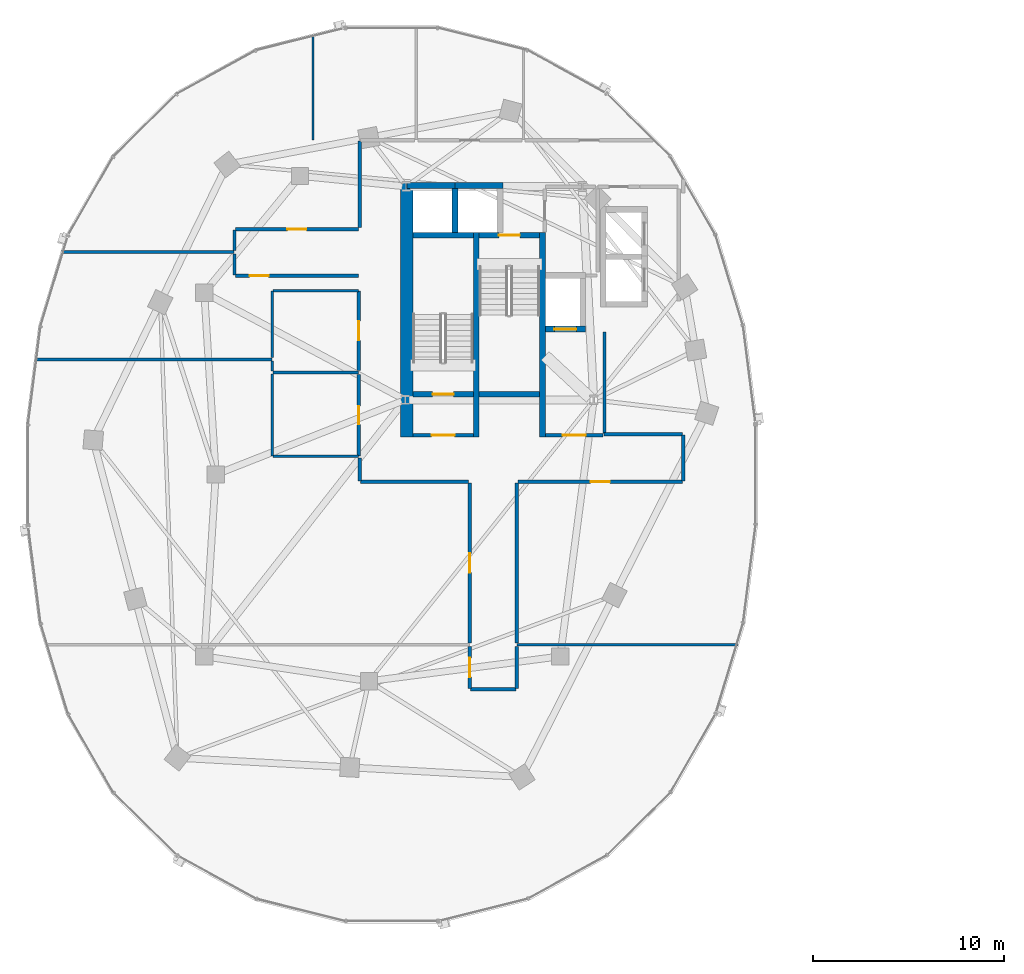
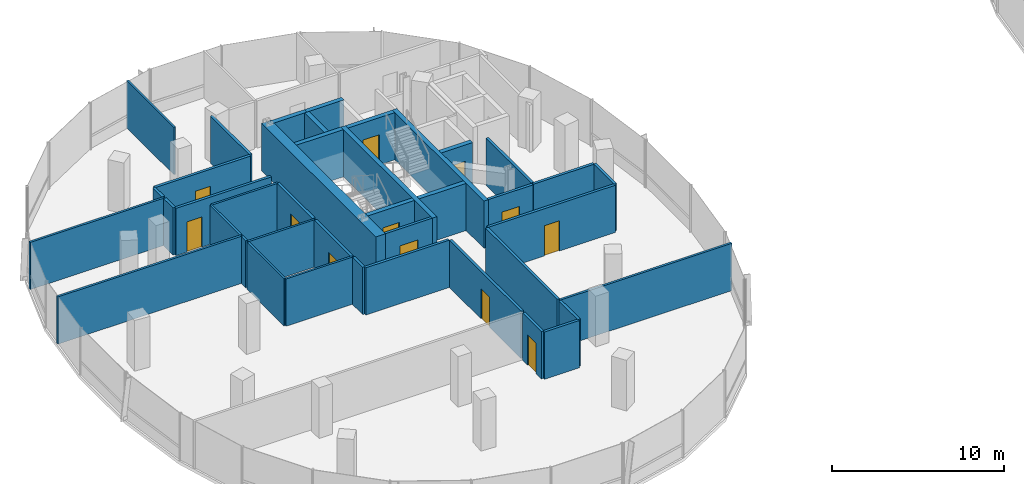
# One storey, part 12 of 22: 41 walls, 12 doors, 12 openings.
"""IFC4 building model written with IfcOpenShell, lengths in metres."""

from ifc_helpers import new_model, si_unit, direction, frame, frame_2d, origin, place, context, subcontext, project, spatial, rectangle, extrude, material, layer, layer_set, type_object, element, fill, save


model = new_model("IFC4")

# Units and contexts
model_context = context("Model", 3, precision=1e-05, world=origin(), true_north=direction((0.0, 1.0)))
body_context = subcontext(model_context, "Body", "Model", "MODEL_VIEW")
ifc_project = project(units=[si_unit("LENGTHUNIT", "METRE"), si_unit("AREAUNIT", "SQUARE_METRE"), si_unit("VOLUMEUNIT", "CUBIC_METRE"), si_unit("PLANEANGLEUNIT", "RADIAN"), si_unit("MASSUNIT", "GRAM", prefix="KILO"), si_unit("THERMODYNAMICTEMPERATUREUNIT", "KELVIN"), si_unit("POWERUNIT", "WATT")], contexts=[model_context])

# Site, building, storey
site_placement = place(None, origin())
site = spatial("IfcSite", under=ifc_project, at=site_placement, CompositionType="ELEMENT")
building_placement = place(site_placement, origin())
building = spatial("IfcBuilding", under=site, at=building_placement, Name="Cundina Bronze Exchange", CompositionType="ELEMENT")
storey_placement = place(building_placement, frame((0.0, 0.0, 162.0)))
storey = spatial("IfcBuildingStorey", under=building, at=storey_placement, Name="L42", CompositionType="ELEMENT", Elevation=162.0)

# Wall
ifc_material_1 = material(Name="Gypsum Fireboard Partition EI120")
ifc_layer_1 = layer(ifc_material_1, 0.179931640625, Name="Gypsum Fireboard Partition EI120")
ifc_layer_set_1 = layer_set([ifc_layer_1], Name="Gypsum Fireboard Partition EI120")
wall_type_1 = type_object("IfcWallType", Name="WL-COR-180", PredefinedType="PARTITIONING", material=ifc_layer_set_1)
wall_1_placement = place(storey_placement, frame((-20.889892578125, 2.14990234375, 0.0), z_axis=(0.0, 0.0, 1.0), x_axis=(0.0, 1.0, 0.0)))
element("IfcWall", 1, at=wall_1_placement, inside=storey, type_object=wall_type_1, Name="L42 W Firefighting Lobby Side Wall", PredefinedType="PARTITIONING", context=body_context, shape_type="SweptSolid", body=[
    extrude(rectangle(XDim=5.300048828125, YDim=0.179931640625, at=frame_2d((2.64990234375, 0.0))), origin(), (0.0, 0.0, 1.0), 3.360107421875),
])

# Wall, opening, door
wall_2_placement = place(storey_placement, frame((-23.97998046875, 2.06005859375, 0.0), z_axis=(0.0, 0.0, 1.0), x_axis=(1.0, 0.0, 0.0)))
wall_2 = element("IfcWall", 2, at=wall_2_placement, inside=storey, type_object=wall_type_1, Name="L42 W Firefighting Lobby Exit Wall", PredefinedType="PARTITIONING", context=body_context, shape_type="SweptSolid", body=[
    extrude(rectangle(XDim=3.0, YDim=0.179931640625, at=frame_2d((1.5, 0.0))), origin(), (0.0, 0.0, 1.0), 3.360107421875),
])
opening_1_placement = place(wall_2_placement, frame((0.89990234375, 0.0, 0.0)))
opening_1 = element("IfcOpeningElement", 3, at=opening_1_placement, cuts=wall_2, Name="Opening DF-01", PredefinedType="OPENING", context=body_context, shape_type="SweptSolid", body=[
    extrude(rectangle(XDim=1.199951171875, YDim=2.14990234375, at=frame_2d((0.60009765625, 1.074951171875))), frame((0.0, 0.099853515625, 0.0), z_axis=(0.0, -1.0, 0.0), x_axis=(1.0, 0.0, 0.0)), (0.0, 0.0, 1.0), 0.199951171875),
])
ifc_material_2 = material(Name="Steel ASTM A36 Painted", Category="steel")
door_type_1 = type_object("IfcDoorType", Name="DR-FFL-1200", OperationType="NOTDEFINED", PredefinedType="DOOR", material=ifc_material_2)
door_1_placement = place(opening_1_placement, origin())
door_1 = element("IfcDoor", 4, at=door_1_placement, inside=storey, type_object=door_type_1, Name="L42 W Firefighting Lobby Door", OperationType="SINGLE_SWING_RIGHT", OverallHeight=2.14990234375, OverallWidth=1.199951171875, PredefinedType="DOOR", context=body_context, shape_type="SweptSolid", body=[
    extrude(rectangle(XDim=1.199951171875, YDim=2.14990234375, at=frame_2d((0.60009765625, 1.074951171875))), frame((0.0, 0.02490234375, 0.0), z_axis=(0.0, -1.0, 0.0), x_axis=(1.0, 0.0, 0.0)), (0.0, 0.0, 1.0), 0.050048828125),
])
fill(opening_1, door_1)

wall_3_placement = place(storey_placement, frame((-30.89990234375, 2.06005859375, 0.0), z_axis=(0.0, 0.0, 1.0), x_axis=(1.0, 0.0, 0.0)))
wall_3 = element("IfcWall", 5, at=wall_3_placement, inside=storey, type_object=wall_type_1, Name="L42 W Stair Vestibule Exit Wall", PredefinedType="PARTITIONING", context=body_context, shape_type="SweptSolid", body=[
    extrude(rectangle(XDim=3.159912109375, YDim=0.179931640625, at=frame_2d((1.580078125, 0.0))), origin(), (0.0, 0.0, 1.0), 3.360107421875),
])
opening_2_placement = place(wall_3_placement, frame((0.97998046875, 0.0, 0.0)))
opening_2 = element("IfcOpeningElement", 6, at=opening_2_placement, cuts=wall_3, Name="Opening DF-01", PredefinedType="OPENING", context=body_context, shape_type="SweptSolid", body=[
    extrude(rectangle(XDim=1.199951171875, YDim=2.14990234375, at=frame_2d((0.60009765625, 1.074951171875))), frame((0.0, 0.099853515625, 0.0), z_axis=(0.0, -1.0, 0.0), x_axis=(1.0, 0.0, 0.0)), (0.0, 0.0, 1.0), 0.199951171875),
])
door_2_placement = place(opening_2_placement, origin())
door_2 = element("IfcDoor", 7, at=door_2_placement, inside=storey, type_object=door_type_1, Name="L42 W Stair Vestibule Door", OperationType="SINGLE_SWING_LEFT", OverallHeight=2.14990234375, OverallWidth=1.199951171875, PredefinedType="DOOR", context=body_context, shape_type="SweptSolid", body=[
    extrude(rectangle(XDim=1.199951171875, YDim=2.14990234375, at=frame_2d((0.60009765625, 1.074951171875))), frame((0.0, 0.02490234375, 0.0), z_axis=(0.0, -1.0, 0.0), x_axis=(1.0, 0.0, 0.0)), (0.0, 0.0, 1.0), 0.050048828125),
])
fill(opening_2, door_2)

wall_4_placement = place(storey_placement, frame((-33.719970703125, 0.969970703125, 0.0), z_axis=(0.0, 0.0, 1.0), x_axis=(0.0, 1.0, 0.0)))
wall_4 = element("IfcWall", 8, at=wall_4_placement, inside=storey, type_object=wall_type_1, Name="L42 Interior Partition 014", PredefinedType="PARTITIONING", context=body_context, shape_type="SweptSolid", body=[
    extrude(rectangle(XDim=4.260009765625, YDim=0.179931640625, at=frame_2d((2.1298828125, 0.0))), origin(), (0.0, 0.0, 1.0), 3.360107421875),
])
opening_3_placement = place(wall_4_placement, frame((1.655029296875, 0.0, 0.0)))
opening_3 = element("IfcOpeningElement", 9, at=opening_3_placement, cuts=wall_4, Name="Opening DW-01", PredefinedType="OPENING", context=body_context, shape_type="SweptSolid", body=[
    extrude(rectangle(XDim=0.949951171875, YDim=2.10009765625, at=frame_2d((0.47509765625, 1.050048828125))), frame((0.0, 0.099853515625, 0.0), z_axis=(0.0, -1.0, 0.0), x_axis=(1.0, 0.0, 0.0)), (0.0, 0.0, 1.0), 0.199951171875),
])
ifc_material_3 = material(Name="Solid Andean Oak Timber Grade A", Category="wood")
door_type_2 = type_object("IfcDoorType", Name="DR-WC-950", OperationType="NOTDEFINED", PredefinedType="DOOR", material=ifc_material_3)
door_3_placement = place(opening_3_placement, origin())
door_3 = element("IfcDoor", 10, at=door_3_placement, inside=storey, type_object=door_type_2, Name="L42 Interior Door 014", OperationType="SINGLE_SWING_LEFT", OverallHeight=2.10009765625, OverallWidth=0.949951171875, PredefinedType="DOOR", context=body_context, shape_type="SweptSolid", body=[
    extrude(rectangle(XDim=0.949951171875, YDim=2.10009765625, at=frame_2d((0.47509765625, 1.050048828125))), frame((0.0, 0.02490234375, 0.0), z_axis=(0.0, -1.0, 0.0), x_axis=(1.0, 0.0, 0.0)), (0.0, 0.0, 1.0), 0.050048828125),
])
fill(opening_3, door_3)

wall_5_placement = place(storey_placement, frame((-33.719970703125, 5.429931640625, 0.0), z_axis=(0.0, 0.0, 1.0), x_axis=(0.0, 1.0, 0.0)))
wall_5 = element("IfcWall", 11, at=wall_5_placement, inside=storey, type_object=wall_type_1, Name="L42 Interior Partition 015", PredefinedType="PARTITIONING", context=body_context, shape_type="SweptSolid", body=[
    extrude(rectangle(XDim=4.16015625, YDim=0.179931640625, at=frame_2d((2.080078125, 0.0))), origin(), (0.0, 0.0, 1.0), 3.360107421875),
])
opening_4_placement = place(wall_5_placement, frame((1.580078125, 0.0, 0.0)))
opening_4 = element("IfcOpeningElement", 12, at=opening_4_placement, cuts=wall_5, Name="Opening DO-01", PredefinedType="OPENING", context=body_context, shape_type="SweptSolid", body=[
    extrude(rectangle(XDim=1.0, YDim=2.14990234375, at=frame_2d((0.5, 1.074951171875))), frame((0.0, 0.099853515625, 0.0), z_axis=(0.0, -1.0, 0.0), x_axis=(1.0, 0.0, 0.0)), (0.0, 0.0, 1.0), 0.199951171875),
])
door_type_3 = type_object("IfcDoorType", Name="DR-OFF-1000", OperationType="NOTDEFINED", PredefinedType="DOOR", material=ifc_material_3)
door_4_placement = place(opening_4_placement, origin())
door_4 = element("IfcDoor", 13, at=door_4_placement, inside=storey, type_object=door_type_3, Name="L42 Interior Door 015", OperationType="SINGLE_SWING_LEFT", OverallHeight=2.14990234375, OverallWidth=1.0, PredefinedType="DOOR", context=body_context, shape_type="SweptSolid", body=[
    extrude(rectangle(XDim=1.0, YDim=2.14990234375, at=frame_2d((0.5, 1.074951171875))), frame((0.0, 0.02490234375, 0.0), z_axis=(0.0, -1.0, 0.0), x_axis=(1.0, 0.0, 0.0)), (0.0, 0.0, 1.0), 0.050048828125),
])
fill(opening_4, door_4)

# Wall
wall_6_placement = place(storey_placement, frame((-27.87841796875, -11.219970703125, 0.0), z_axis=(0.0, 0.0, 1.0), x_axis=(1.0, 0.0, 0.0)))
element("IfcWall", 14, at=wall_6_placement, inside=storey, type_object=wall_type_1, Name="L42 Interior Partition 023", PredefinedType="PARTITIONING", context=body_context, shape_type="SweptSolid", body=[
    extrude(rectangle(XDim=2.35693359375, YDim=0.179931640625, at=frame_2d((1.178466796875, 0.0))), origin(), (0.0, 0.0, 1.0), 3.360107421875),
])

# Wall, opening, door
wall_7_placement = place(storey_placement, frame((-27.919921875, -8.97998046875, 0.0), z_axis=(0.0, 0.0, 1.0), x_axis=(0.0, -1.0, 0.0)))
wall_7 = element("IfcWall", 15, at=wall_7_placement, inside=storey, type_object=wall_type_1, Name="L42 Interior Partition 024", PredefinedType="PARTITIONING", context=body_context, shape_type="SweptSolid", body=[
    extrude(rectangle(XDim=2.198486328125, YDim=0.179931640625, at=frame_2d((1.09912109375, 0.0))), origin(), (0.0, 0.0, 1.0), 3.360107421875),
])
opening_5_placement = place(wall_7_placement, frame((0.59912109375, 0.0, 0.0)))
opening_5 = element("IfcOpeningElement", 16, at=opening_5_placement, cuts=wall_7, Name="Opening DO-01", PredefinedType="OPENING", context=body_context, shape_type="SweptSolid", body=[
    extrude(rectangle(XDim=1.0, YDim=2.14990234375, at=frame_2d((0.5, 1.074951171875))), frame((0.0, 0.099853515625, 0.0), z_axis=(0.0, -1.0, 0.0), x_axis=(1.0, 0.0, 0.0)), (0.0, 0.0, 1.0), 0.199951171875),
])
door_5_placement = place(opening_5_placement, origin())
door_5 = element("IfcDoor", 17, at=door_5_placement, inside=storey, type_object=door_type_3, Name="L42 Interior Door 024", OperationType="SINGLE_SWING_RIGHT", OverallHeight=2.14990234375, OverallWidth=1.0, PredefinedType="DOOR", context=body_context, shape_type="SweptSolid", body=[
    extrude(rectangle(XDim=1.0, YDim=2.14990234375, at=frame_2d((0.5, 1.074951171875))), frame((0.0, 0.02490234375, 0.0), z_axis=(0.0, -1.0, 0.0), x_axis=(1.0, 0.0, 0.0)), (0.0, 0.0, 1.0), 0.050048828125),
])
fill(opening_5, door_5)

# Wall
wall_8_placement = place(storey_placement, frame((-25.47998046875, -11.178466796875, 0.0), z_axis=(0.0, 0.0, 1.0), x_axis=(0.0, 1.0, 0.0)))
element("IfcWall", 18, at=wall_8_placement, inside=storey, type_object=wall_type_1, Name="L42 Interior Partition 025", PredefinedType="PARTITIONING", context=body_context, shape_type="SweptSolid", body=[
    extrude(rectangle(XDim=2.198486328125, YDim=0.179931640625, at=frame_2d((1.09912109375, 0.0))), origin(), (0.0, 0.0, 1.0), 3.360107421875),
])

# Wall, opening, door
wall_9_placement = place(storey_placement, frame((-27.919921875, -0.449951171875, 0.0), z_axis=(0.0, 0.0, 1.0), x_axis=(0.0, -1.0, 0.0)))
wall_9 = element("IfcWall", 19, at=wall_9_placement, inside=storey, type_object=wall_type_1, Name="L42 Interior Partition 026", PredefinedType="PARTITIONING", context=body_context, shape_type="SweptSolid", body=[
    extrude(rectangle(XDim=8.35009765625, YDim=0.179931640625, at=frame_2d((4.175048828125, 0.0))), origin(), (0.0, 0.0, 1.0), 3.360107421875),
])
opening_6_placement = place(wall_9_placement, frame((3.675048828125, 0.0, 0.0)))
opening_6 = element("IfcOpeningElement", 20, at=opening_6_placement, cuts=wall_9, Name="Opening DO-01", PredefinedType="OPENING", context=body_context, shape_type="SweptSolid", body=[
    extrude(rectangle(XDim=1.0, YDim=2.14990234375, at=frame_2d((0.5, 1.074951171875))), frame((0.0, 0.099853515625, 0.0), z_axis=(0.0, -1.0, 0.0), x_axis=(1.0, 0.0, 0.0)), (0.0, 0.0, 1.0), 0.199951171875),
])
door_6_placement = place(opening_6_placement, origin())
door_6 = element("IfcDoor", 21, at=door_6_placement, inside=storey, type_object=door_type_3, Name="L42 Interior Door 026", OperationType="SINGLE_SWING_RIGHT", OverallHeight=2.14990234375, OverallWidth=1.0, PredefinedType="DOOR", context=body_context, shape_type="SweptSolid", body=[
    extrude(rectangle(XDim=1.0, YDim=2.14990234375, at=frame_2d((0.5, 1.074951171875))), frame((0.0, 0.02490234375, 0.0), z_axis=(0.0, -1.0, 0.0), x_axis=(1.0, 0.0, 0.0)), (0.0, 0.0, 1.0), 0.050048828125),
])
fill(opening_6, door_6)

# Walls
wall_10_placement = place(storey_placement, frame((-33.62841796875, -0.3701171875, 0.0), z_axis=(0.0, 0.0, 1.0), x_axis=(1.0, 0.0, 0.0)))
element("IfcWall", 22, at=wall_10_placement, inside=storey, type_object=wall_type_1, Name="L42 Interior Partition 027", PredefinedType="PARTITIONING", context=body_context, shape_type="SweptSolid", body=[
    extrude(rectangle(XDim=5.62841796875, YDim=0.179931640625, at=frame_2d((2.814208984375, 0.0))), origin(), (0.0, 0.0, 1.0), 3.360107421875),
])
wall_11_placement = place(storey_placement, frame((-33.669921875, 0.858642578125, 0.0), z_axis=(0.0, 0.0, 1.0), x_axis=(0.0, -1.0, 0.0)))
element("IfcWall", 23, at=wall_11_placement, inside=storey, type_object=wall_type_1, Name="L42 Interior Partition 028", PredefinedType="PARTITIONING", context=body_context, shape_type="SweptSolid", body=[
    extrude(rectangle(XDim=1.187255859375, YDim=0.179931640625, at=frame_2d((0.59375, 0.0))), origin(), (0.0, 0.0, 1.0), 3.360107421875),
])

# Wall, opening, door
wall_12_placement = place(storey_placement, frame((-25.39990234375, -0.3701171875, 0.0), z_axis=(0.0, 0.0, 1.0), x_axis=(1.0, 0.0, 0.0)))
wall_12 = element("IfcWall", 24, at=wall_12_placement, inside=storey, type_object=wall_type_1, Name="L42 Interior Partition 029", PredefinedType="PARTITIONING", context=body_context, shape_type="SweptSolid", body=[
    extrude(rectangle(XDim=8.578369140625, YDim=0.179931640625, at=frame_2d((4.2890625, 0.0))), origin(), (0.0, 0.0, 1.0), 3.360107421875),
])
opening_7_placement = place(wall_12_placement, frame((3.789306640625, 0.0, 0.0)))
opening_7 = element("IfcOpeningElement", 25, at=opening_7_placement, cuts=wall_12, Name="Opening DO-01", PredefinedType="OPENING", context=body_context, shape_type="SweptSolid", body=[
    extrude(rectangle(XDim=1.0, YDim=2.14990234375, at=frame_2d((0.5, 1.074951171875))), frame((0.0, 0.099853515625, 0.0), z_axis=(0.0, -1.0, 0.0), x_axis=(1.0, 0.0, 0.0)), (0.0, 0.0, 1.0), 0.199951171875),
])
door_7_placement = place(opening_7_placement, origin())
door_7 = element("IfcDoor", 26, at=door_7_placement, inside=storey, type_object=door_type_3, Name="L42 Interior Door 029", OperationType="SINGLE_SWING_RIGHT", OverallHeight=2.14990234375, OverallWidth=1.0, PredefinedType="DOOR", context=body_context, shape_type="SweptSolid", body=[
    extrude(rectangle(XDim=1.0, YDim=2.14990234375, at=frame_2d((0.5, 1.074951171875))), frame((0.0, 0.02490234375, 0.0), z_axis=(0.0, -1.0, 0.0), x_axis=(1.0, 0.0, 0.0)), (0.0, 0.0, 1.0), 0.050048828125),
])
fill(opening_7, door_7)

# Walls
wall_13_placement = place(storey_placement, frame((-25.47998046875, -8.800048828125, 0.0), z_axis=(0.0, 0.0, 1.0), x_axis=(0.0, 1.0, 0.0)))
element("IfcWall", 27, at=wall_13_placement, inside=storey, type_object=wall_type_1, Name="L42 Interior Partition 030", PredefinedType="PARTITIONING", context=body_context, shape_type="SweptSolid", body=[
    extrude(rectangle(XDim=8.35009765625, YDim=0.179931640625, at=frame_2d((4.175048828125, 0.0))), origin(), (0.0, 0.0, 1.0), 3.360107421875),
])
wall_14_placement = place(storey_placement, frame((-16.821533203125, 2.10009765625, 0.0), z_axis=(0.0, 0.0, 1.0), x_axis=(-1.0, 0.0, 0.0)))
element("IfcWall", 28, at=wall_14_placement, inside=storey, type_object=wall_type_1, Name="L42 Interior Partition 031", PredefinedType="PARTITIONING", context=body_context, shape_type="SweptSolid", body=[
    extrude(rectangle(XDim=4.098388671875, YDim=0.179931640625, at=frame_2d((2.04931640625, 0.0))), origin(), (0.0, 0.0, 1.0), 3.360107421875),
])
wall_15_placement = place(storey_placement, frame((-16.780029296875, -0.32861328125, 0.0), z_axis=(0.0, 0.0, 1.0), x_axis=(0.0, 1.0, 0.0)))
element("IfcWall", 29, at=wall_15_placement, inside=storey, type_object=wall_type_1, Name="L42 Interior Partition 032", PredefinedType="PARTITIONING", context=body_context, shape_type="SweptSolid", body=[
    extrude(rectangle(XDim=2.38720703125, YDim=0.179931640625, at=frame_2d((1.193603515625, 0.0))), origin(), (0.0, 0.0, 1.0), 3.360107421875),
])

# Wall, opening, door
wall_16_placement = place(storey_placement, frame((-40.178466796875, 10.3798828125, 0.0), z_axis=(0.0, 0.0, 1.0), x_axis=(1.0, 0.0, 0.0)))
wall_16 = element("IfcWall", 30, at=wall_16_placement, inside=storey, type_object=wall_type_1, Name="L42 Interior Partition 034", PredefinedType="PARTITIONING", context=body_context, shape_type="SweptSolid", body=[
    extrude(rectangle(XDim=6.428466796875, YDim=0.179931640625, at=frame_2d((3.21435546875, 0.0))), origin(), (0.0, 0.0, 1.0), 3.360107421875),
])
opening_8_placement = place(wall_16_placement, frame((0.74267578125, 0.0, 0.0)))
opening_8 = element("IfcOpeningElement", 31, at=opening_8_placement, cuts=wall_16, Name="Opening DO-01", PredefinedType="OPENING", context=body_context, shape_type="SweptSolid", body=[
    extrude(rectangle(XDim=1.0, YDim=2.14990234375, at=frame_2d((0.5, 1.074951171875))), frame((0.0, 0.099853515625, 0.0), z_axis=(0.0, -1.0, 0.0), x_axis=(1.0, 0.0, 0.0)), (0.0, 0.0, 1.0), 0.199951171875),
])
door_8_placement = place(opening_8_placement, origin())
door_8 = element("IfcDoor", 32, at=door_8_placement, inside=storey, type_object=door_type_3, Name="L42 Interior Door 034", OperationType="SINGLE_SWING_LEFT", OverallHeight=2.14990234375, OverallWidth=1.0, PredefinedType="DOOR", context=body_context, shape_type="SweptSolid", body=[
    extrude(rectangle(XDim=1.0, YDim=2.14990234375, at=frame_2d((0.5, 1.074951171875))), frame((0.0, 0.02490234375, 0.0), z_axis=(0.0, -1.0, 0.0), x_axis=(1.0, 0.0, 0.0)), (0.0, 0.0, 1.0), 0.050048828125),
])
fill(opening_8, door_8)

# Wall
wall_17_placement = place(storey_placement, frame((-40.219970703125, 11.530029296875, 0.0), z_axis=(0.0, 0.0, 1.0), x_axis=(0.0, -1.0, 0.0)))
element("IfcWall", 33, at=wall_17_placement, inside=storey, type_object=wall_type_1, Name="L42 Interior Partition 035", PredefinedType="PARTITIONING", context=body_context, shape_type="SweptSolid", body=[
    extrude(rectangle(XDim=1.108642578125, YDim=0.179931640625, at=frame_2d((0.55419921875, 0.0))), origin(), (0.0, 0.0, 1.0), 3.360107421875),
])

# Wall, opening, door
wall_18_placement = place(storey_placement, frame((-33.75, 12.820068359375, 0.0), z_axis=(0.0, 0.0, 1.0), x_axis=(-1.0, 0.0, 0.0)))
wall_18 = element("IfcWall", 34, at=wall_18_placement, inside=storey, type_object=wall_type_1, Name="L42 Interior Partition 036", PredefinedType="PARTITIONING", context=body_context, shape_type="SweptSolid", body=[
    extrude(rectangle(XDim=6.428466796875, YDim=0.179931640625, at=frame_2d((3.21435546875, 0.0))), origin(), (0.0, 0.0, 1.0), 3.360107421875),
])
opening_9_placement = place(wall_18_placement, frame((2.714111328125, 0.0, 0.0)))
opening_9 = element("IfcOpeningElement", 35, at=opening_9_placement, cuts=wall_18, Name="Opening DO-01", PredefinedType="OPENING", context=body_context, shape_type="SweptSolid", body=[
    extrude(rectangle(XDim=1.0, YDim=2.14990234375, at=frame_2d((0.5, 1.074951171875))), frame((0.0, 0.099853515625, 0.0), z_axis=(0.0, -1.0, 0.0), x_axis=(1.0, 0.0, 0.0)), (0.0, 0.0, 1.0), 0.199951171875),
])
door_9_placement = place(opening_9_placement, origin())
door_9 = element("IfcDoor", 36, at=door_9_placement, inside=storey, type_object=door_type_3, Name="L42 Interior Door 036", OperationType="SINGLE_SWING_RIGHT", OverallHeight=2.14990234375, OverallWidth=1.0, PredefinedType="DOOR", context=body_context, shape_type="SweptSolid", body=[
    extrude(rectangle(XDim=1.0, YDim=2.14990234375, at=frame_2d((0.5, 1.074951171875))), frame((0.0, 0.02490234375, 0.0), z_axis=(0.0, -1.0, 0.0), x_axis=(1.0, 0.0, 0.0)), (0.0, 0.0, 1.0), 0.050048828125),
])
fill(opening_9, door_9)

# Walls
wall_19_placement = place(storey_placement, frame((-33.669921875, 17.428466796875, 0.0), z_axis=(0.0, 0.0, 1.0), x_axis=(0.0, -1.0, 0.0)))
element("IfcWall", 37, at=wall_19_placement, inside=storey, type_object=wall_type_1, Name="L42 Interior Partition 037", PredefinedType="PARTITIONING", context=body_context, shape_type="SweptSolid", body=[
    extrude(rectangle(XDim=4.528564453125, YDim=0.179931640625, at=frame_2d((2.26416015625, 0.0))), origin(), (0.0, 0.0, 1.0), 3.360107421875),
])
wall_20_placement = place(storey_placement, frame((-40.219970703125, 12.778564453125, 0.0), z_axis=(0.0, 0.0, 1.0), x_axis=(0.0, -1.0, 0.0)))
element("IfcWall", 38, at=wall_20_placement, inside=storey, type_object=wall_type_1, Name="L42 Interior Partition 039", PredefinedType="PARTITIONING", context=body_context, shape_type="SweptSolid", body=[
    extrude(rectangle(XDim=1.068603515625, YDim=0.179931640625, at=frame_2d((0.5341796875, 0.0))), origin(), (0.0, 0.0, 1.0), 3.360107421875),
])
ifc_material_4 = material(Name="Concrete C50/60", Category="concrete")
ifc_layer_2 = layer(ifc_material_4, 0.64990234375, Name="Concrete C50/60", Category="concrete")
ifc_layer_set_2 = layer_set([ifc_layer_2], Name="Concrete C50/60")
wall_type_2 = type_object("IfcWallType", Name="WL-CORE-650", PredefinedType="SHEAR", material=ifc_layer_set_2)
wall_21_placement = place(storey_placement, frame((-31.22509765625, 1.969970703125, 0.0), z_axis=(0.0, 0.0, 1.0), x_axis=(0.0, 1.0, 0.0)))
element("IfcWall", 39, at=wall_21_placement, inside=storey, type_object=wall_type_2, Name="L42 W Primary Core Shear Spine Wall", PredefinedType="SHEAR", context=body_context, shape_type="SweptSolid", body=[
    extrude(rectangle(XDim=13.330078125, YDim=0.64990234375, at=frame_2d((6.6650390625, 0.0))), origin(), (0.0, 0.0, 1.0), 3.360107421875),
])
ifc_material_5 = material(Name="Gypsum Acoustic Partition EI60")
ifc_layer_3 = layer(ifc_material_5, 0.125, Name="Gypsum Acoustic Partition EI60")
ifc_layer_set_3 = layer_set([ifc_layer_3], Name="Gypsum Acoustic Partition EI60")
wall_type_3 = type_object("IfcWallType", Name="WL-OFF-125", PredefinedType="PARTITIONING", material=ifc_layer_set_3)
wall_22_placement = place(storey_placement, frame((-36.1201171875, 17.469970703125, 0.0), z_axis=(0.0, 0.0, 1.0), x_axis=(0.0, 1.0, 0.0)))
element("IfcWall", 40, at=wall_22_placement, inside=storey, type_object=wall_type_3, Name="L42 Interior Partition 020", PredefinedType="PARTITIONING", context=body_context, shape_type="SweptSolid", body=[
    extrude(rectangle(XDim=5.511474609375, YDim=0.125, at=frame_2d((2.755859375, 0.0))), origin(), (0.0, 0.0, 1.0), 3.360107421875),
])
ifc_layer_4 = layer(ifc_material_4, 0.300048828125, Name="Concrete C50/60", Category="concrete")
ifc_layer_set_4 = layer_set([ifc_layer_4], Name="Concrete C50/60")
wall_type_4 = type_object("IfcWallType", Name="WL-SHFT-300", PredefinedType="SHEAR", material=ifc_layer_set_4)
for number, where, z_axis, x_axis, name in (
    (41, (-27.590087890625, 1.969970703125, 0.0), (0.0, 0.0, 1.0), (0.0, 1.0, 0.0), "L42 W Stair Shaft Dividing Shear Wall"),
    (42, (-24.1298828125, 1.969970703125, 0.0), (0.0, 0.0, 1.0), (0.0, 1.0, 0.0), "L42 W Stair 2 East Shear Wall"),
):
    element("IfcWall", number, at=place(storey_placement, frame(where, z_axis=z_axis, x_axis=x_axis)), inside=storey, type_object=wall_type_4, Name=name, PredefinedType="SHEAR", context=body_context, shape_type="SweptSolid", body=[
        extrude(rectangle(XDim=10.679931640625, YDim=0.300048828125, at=frame_2d((5.33984375, 0.0))), origin(), (0.0, 0.0, 1.0), 3.360107421875),
    ])

# Wall, opening, door
wall_23_placement = place(storey_placement, frame((-30.89990234375, 4.199951171875, 0.0), z_axis=(0.0, 0.0, 1.0), x_axis=(1.0, 0.0, 0.0)))
wall_23 = element("IfcWall", 43, at=wall_23_placement, inside=storey, type_object=wall_type_4, Name="L42 Stair W1 Landing Wall", PredefinedType="SHEAR", context=body_context, shape_type="SweptSolid", body=[
    extrude(rectangle(XDim=3.159912109375, YDim=0.300048828125, at=frame_2d((1.580078125, 0.0))), origin(), (0.0, 0.0, 1.0), 3.360107421875),
])
opening_10_placement = place(wall_23_placement, frame((1.030029296875, 0.0, 0.0)))
opening_10 = element("IfcOpeningElement", 44, at=opening_10_placement, cuts=wall_23, Name="Opening DS-01", PredefinedType="OPENING", context=body_context, shape_type="SweptSolid", body=[
    extrude(rectangle(XDim=1.10009765625, YDim=2.14990234375, at=frame_2d((0.550048828125, 1.074951171875))), frame((0.0, 0.159912109375, 0.0), z_axis=(0.0, -1.0, 0.0), x_axis=(1.0, 0.0, 0.0)), (0.0, 0.0, 1.0), 0.320068359375),
])
door_type_4 = type_object("IfcDoorType", Name="DR-STR-1100", OperationType="NOTDEFINED", PredefinedType="DOOR", material=ifc_material_2)
door_10_placement = place(opening_10_placement, origin())
door_10 = element("IfcDoor", 45, at=door_10_placement, inside=storey, type_object=door_type_4, Name="L42 Smokeproof Stair W1 Door", OperationType="SINGLE_SWING_RIGHT", OverallHeight=2.14990234375, OverallWidth=1.10009765625, PredefinedType="DOOR", context=body_context, shape_type="SweptSolid", body=[
    extrude(rectangle(XDim=1.10009765625, YDim=2.14990234375, at=frame_2d((0.550048828125, 1.074951171875))), frame((0.0, 0.02490234375, 0.0), z_axis=(0.0, -1.0, 0.0), x_axis=(1.0, 0.0, 0.0)), (0.0, 0.0, 1.0), 0.050048828125),
])
fill(opening_10, door_10)

# Wall
wall_24_placement = place(storey_placement, frame((-30.89990234375, 12.5, 0.0), z_axis=(0.0, 0.0, 1.0), x_axis=(1.0, 0.0, 0.0)))
element("IfcWall", 46, at=wall_24_placement, inside=storey, type_object=wall_type_4, Name="L42 Stair W1 Far Shaft Wall", PredefinedType="SHEAR", context=body_context, shape_type="SweptSolid", body=[
    extrude(rectangle(XDim=3.159912109375, YDim=0.300048828125, at=frame_2d((1.580078125, 0.0))), origin(), (0.0, 0.0, 1.0), 3.360107421875),
])

# Wall, opening, door
wall_25_placement = place(storey_placement, frame((-27.43994140625, 12.5, 0.0), z_axis=(0.0, 0.0, 1.0), x_axis=(1.0, 0.0, 0.0)))
wall_25 = element("IfcWall", 47, at=wall_25_placement, inside=storey, type_object=wall_type_4, Name="L42 Stair W2 Landing Wall", PredefinedType="SHEAR", context=body_context, shape_type="SweptSolid", body=[
    extrude(rectangle(XDim=3.159912109375, YDim=0.300048828125, at=frame_2d((1.580078125, 0.0))), origin(), (0.0, 0.0, 1.0), 3.360107421875),
])
opening_11_placement = place(wall_25_placement, frame((1.030029296875, 0.0, 0.0)))
opening_11 = element("IfcOpeningElement", 48, at=opening_11_placement, cuts=wall_25, Name="Opening DS-01", PredefinedType="OPENING", context=body_context, shape_type="SweptSolid", body=[
    extrude(rectangle(XDim=1.10009765625, YDim=2.14990234375, at=frame_2d((0.550048828125, 1.074951171875))), frame((0.0, 0.159912109375, 0.0), z_axis=(0.0, -1.0, 0.0), x_axis=(1.0, 0.0, 0.0)), (0.0, 0.0, 1.0), 0.320068359375),
])
door_11_placement = place(opening_11_placement, origin())
door_11 = element("IfcDoor", 49, at=door_11_placement, inside=storey, type_object=door_type_4, Name="L42 Smokeproof Stair W2 Door", OperationType="SINGLE_SWING_LEFT", OverallHeight=2.14990234375, OverallWidth=1.10009765625, PredefinedType="DOOR", context=body_context, shape_type="SweptSolid", body=[
    extrude(rectangle(XDim=1.10009765625, YDim=2.14990234375, at=frame_2d((0.550048828125, 1.074951171875))), frame((0.0, 0.02490234375, 0.0), z_axis=(0.0, -1.0, 0.0), x_axis=(1.0, 0.0, 0.0)), (0.0, 0.0, 1.0), 0.050048828125),
])
fill(opening_11, door_11)

# Wall
wall_26_placement = place(storey_placement, frame((-27.43994140625, 4.199951171875, 0.0), z_axis=(0.0, 0.0, 1.0), x_axis=(1.0, 0.0, 0.0)))
element("IfcWall", 50, at=wall_26_placement, inside=storey, type_object=wall_type_4, Name="L42 Stair W2 Far Shaft Wall", PredefinedType="SHEAR", context=body_context, shape_type="SweptSolid", body=[
    extrude(rectangle(XDim=3.159912109375, YDim=0.300048828125, at=frame_2d((1.580078125, 0.0))), origin(), (0.0, 0.0, 1.0), 3.360107421875),
])

# Wall, opening, door
wall_27_placement = place(storey_placement, frame((-23.97998046875, 7.60009765625, 0.0), z_axis=(0.0, 0.0, 1.0), x_axis=(1.0, 0.0, 0.0)))
wall_27 = element("IfcWall", 51, at=wall_27_placement, inside=storey, type_object=wall_type_4, Name="L42 FFL-W Hoistway Front Wall", PredefinedType="SHEAR", context=body_context, shape_type="SweptSolid", body=[
    extrude(rectangle(XDim=2.10009765625, YDim=0.300048828125, at=frame_2d((1.050048828125, 0.0))), origin(), (0.0, 0.0, 1.0), 3.360107421875),
])
opening_12_placement = place(wall_27_placement, frame((0.47509765625, 0.0, 0.0)))
opening_12 = element("IfcOpeningElement", 52, at=opening_12_placement, cuts=wall_27, Name="Opening LD-01", PredefinedType="OPENING", context=body_context, shape_type="SweptSolid", body=[
    extrude(rectangle(XDim=1.14990234375, YDim=2.199951171875, at=frame_2d((0.574951171875, 1.10009765625))), frame((0.0, 0.159912109375, 0.0), z_axis=(0.0, -1.0, 0.0), x_axis=(1.0, 0.0, 0.0)), (0.0, 0.0, 1.0), 0.320068359375),
])
door_type_5 = type_object("IfcDoorType", Name="DR-LND-1150", OperationType="NOTDEFINED", PredefinedType="TRAPDOOR", material=ifc_material_2)
door_12_placement = place(opening_12_placement, origin())
door_12 = element("IfcDoor", 53, at=door_12_placement, inside=storey, type_object=door_type_5, Name="L42 FFL-W Sliding Landing Door", OperationType="SLIDING_TO_LEFT", OverallHeight=2.199951171875, OverallWidth=1.14990234375, PredefinedType="TRAPDOOR", context=body_context, shape_type="SweptSolid", body=[
    extrude(rectangle(XDim=1.14990234375, YDim=2.199951171875, at=frame_2d((0.574951171875, 1.10009765625))), frame((0.0, 0.02490234375, 0.0), z_axis=(0.0, -1.0, 0.0), x_axis=(1.0, 0.0, 0.0)), (0.0, 0.0, 1.0), 0.050048828125),
])
fill(opening_12, door_12)

# Walls
wall_28_placement = place(storey_placement, frame((-31.199951171875, 15.10009765625, 0.0), z_axis=(0.0, 0.0, 1.0), x_axis=(1.0, 0.0, 0.0)))
element("IfcWall", 54, at=wall_28_placement, inside=storey, type_object=wall_type_4, Name="L42 PH-W1 Hoistway Front Wall", PredefinedType="SHEAR", context=body_context, shape_type="SweptSolid", body=[
    extrude(rectangle(XDim=2.5, YDim=0.300048828125, at=frame_2d((1.25, 0.0))), origin(), (0.0, 0.0, 1.0), 3.360107421875),
])
wall_29_placement = place(storey_placement, frame((-28.699951171875, 12.64990234375, 0.0), z_axis=(0.0, 0.0, 1.0), x_axis=(0.0, 1.0, 0.0)))
element("IfcWall", 55, at=wall_29_placement, inside=storey, type_object=wall_type_4, Name="L42 PH-W1 Hoistway Divider Wall", PredefinedType="SHEAR", context=body_context, shape_type="SweptSolid", body=[
    extrude(rectangle(XDim=2.300048828125, YDim=0.300048828125, at=frame_2d((1.14990234375, 0.0))), origin(), (0.0, 0.0, 1.0), 3.360107421875),
])
wall_30_placement = place(storey_placement, frame((-28.699951171875, 15.10009765625, 0.0), z_axis=(0.0, 0.0, 1.0), x_axis=(1.0, 0.0, 0.0)))
element("IfcWall", 56, at=wall_30_placement, inside=storey, type_object=wall_type_4, Name="L42 PH-W2 Hoistway Front Wall", PredefinedType="SHEAR", context=body_context, shape_type="SweptSolid", body=[
    extrude(rectangle(XDim=2.5, YDim=0.300048828125, at=frame_2d((1.25, 0.0))), origin(), (0.0, 0.0, 1.0), 3.360107421875),
])
ifc_layer_5 = layer(ifc_material_5, 0.14990234375, Name="Gypsum Acoustic Partition EI60")
ifc_layer_set_5 = layer_set([ifc_layer_5], Name="Gypsum Acoustic Partition EI60")
wall_type_5 = type_object("IfcWallType", Name="WL-TEN-150", PredefinedType="PARTITIONING", material=ifc_layer_set_5)
wall_31_placement = place(storey_placement, frame((-25.449951171875, -8.889892578125, 0.0), z_axis=(0.0, 0.0, 1.0), x_axis=(1.0, 0.0, 0.0)))
element("IfcWall", 57, at=wall_31_placement, inside=storey, type_object=wall_type_5, Name="L42 Interior Partition 017", PredefinedType="PARTITIONING", context=body_context, shape_type="SweptSolid", body=[
    extrude(rectangle(XDim=11.53173828125, YDim=0.14990234375, at=frame_2d((5.765869140625, 0.0))), origin(), (0.0, 0.0, 1.0), 3.360107421875),
])
wall_32_placement = place(storey_placement, frame((-50.64111328125, 6.02001953125, 0.0), z_axis=(0.0, 0.0, 1.0), x_axis=(1.0, 0.0, 0.0)))
element("IfcWall", 58, at=wall_32_placement, inside=storey, type_object=wall_type_5, Name="L42 Interior Partition 018", PredefinedType="PARTITIONING", context=body_context, shape_type="SweptSolid", body=[
    extrude(rectangle(XDim=12.37109375, YDim=0.14990234375, at=frame_2d((6.185546875, 0.0))), origin(), (0.0, 0.0, 1.0), 3.360107421875),
])
wall_33_placement = place(storey_placement, frame((-49.25439453125, 11.6201171875, 0.0), z_axis=(0.0, 0.0, 1.0), x_axis=(1.0, 0.0, 0.0)))
element("IfcWall", 59, at=wall_33_placement, inside=storey, type_object=wall_type_5, Name="L42 Interior Partition 019", PredefinedType="PARTITIONING", context=body_context, shape_type="SweptSolid", body=[
    extrude(rectangle(XDim=9.00439453125, YDim=0.14990234375, at=frame_2d((4.502197265625, 0.0))), origin(), (0.0, 0.0, 1.0), 3.360107421875),
])
ifc_material_6 = material(Name="Moisture-Resistant Masonry Block Grade M15", Category="masonry")
ifc_layer_6 = layer(ifc_material_6, 0.139892578125, Name="Moisture-Resistant Masonry Block Grade M15", Category="masonry")
ifc_layer_set_6 = layer_set([ifc_layer_6], Name="Moisture-Resistant Masonry Block Grade M15")
wall_type_6 = type_object("IfcWallType", Name="WL-WET-140", PredefinedType="PARTITIONING", material=ifc_layer_set_6)
wall_34_placement = place(storey_placement, frame((-38.239990234375, 0.969970703125, 0.0), z_axis=(0.0, 0.0, 1.0), x_axis=(0.0, 1.0, 0.0)))
element("IfcWall", 60, at=wall_34_placement, inside=storey, type_object=wall_type_6, Name="L42 Interior Partition 008", PredefinedType="PARTITIONING", context=body_context, shape_type="SweptSolid", body=[
    extrude(rectangle(XDim=4.275146484375, YDim=0.139892578125, at=frame_2d((2.1376953125, 0.0))), origin(), (0.0, 0.0, 1.0), 3.360107421875),
])
wall_35_placement = place(storey_placement, frame((-38.239990234375, 5.4150390625, 0.0), z_axis=(0.0, 0.0, 1.0), x_axis=(0.0, 1.0, 0.0)))
element("IfcWall", 61, at=wall_35_placement, inside=storey, type_object=wall_type_6, Name="L42 Interior Partition 009", PredefinedType="PARTITIONING", context=body_context, shape_type="SweptSolid", body=[
    extrude(rectangle(XDim=0.52001953125, YDim=0.139892578125, at=frame_2d((0.260009765625, 0.0))), origin(), (0.0, 0.0, 1.0), 3.360107421875),
])
wall_36_placement = place(storey_placement, frame((-38.239990234375, 6.10498046875, 0.0), z_axis=(0.0, 0.0, 1.0), x_axis=(0.0, 1.0, 0.0)))
element("IfcWall", 62, at=wall_36_placement, inside=storey, type_object=wall_type_6, Name="L42 Interior Partition 010", PredefinedType="PARTITIONING", context=body_context, shape_type="SweptSolid", body=[
    extrude(rectangle(XDim=3.485107421875, YDim=0.139892578125, at=frame_2d((1.74267578125, 0.0))), origin(), (0.0, 0.0, 1.0), 3.360107421875),
])
for number, where, z_axis, x_axis, name in (
    (63, (-38.219970703125, 0.949951171875, 0.0), (0.0, 0.0, 1.0), (1.0, 0.0, 0.0), "L42 Interior Partition 011"),
    (64, (-38.219970703125, 5.330078125, 0.0), (0.0, 0.0, 1.0), (1.0, 0.0, 0.0), "L42 Interior Partition 012"),
    (65, (-38.219970703125, 9.610107421875, 0.0), (0.0, 0.0, 1.0), (1.0, 0.0, 0.0), "L42 Interior Partition 013"),
):
    element("IfcWall", number, at=place(storey_placement, frame(where, z_axis=z_axis, x_axis=x_axis)), inside=storey, type_object=wall_type_6, Name=name, PredefinedType="PARTITIONING", context=body_context, shape_type="SweptSolid", body=[
        extrude(rectangle(XDim=4.47998046875, YDim=0.139892578125, at=frame_2d((2.239990234375, 0.0))), origin(), (0.0, 0.0, 1.0), 3.360107421875),
    ])

save(model, "model.ifc")
